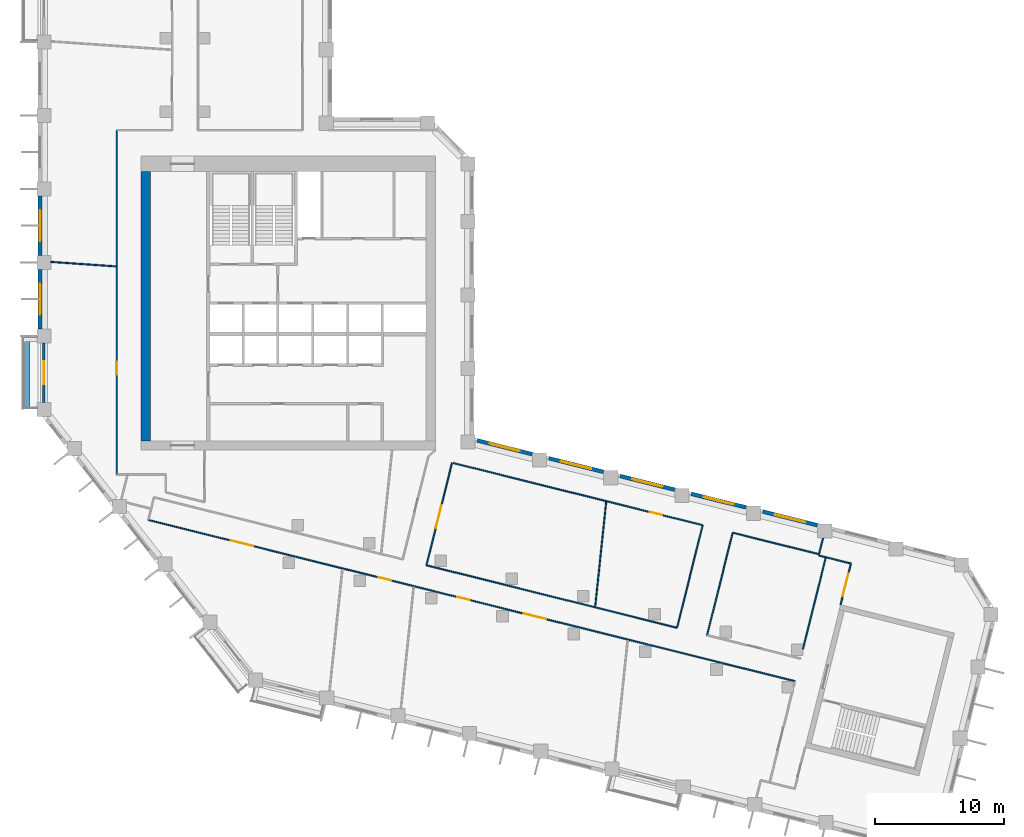
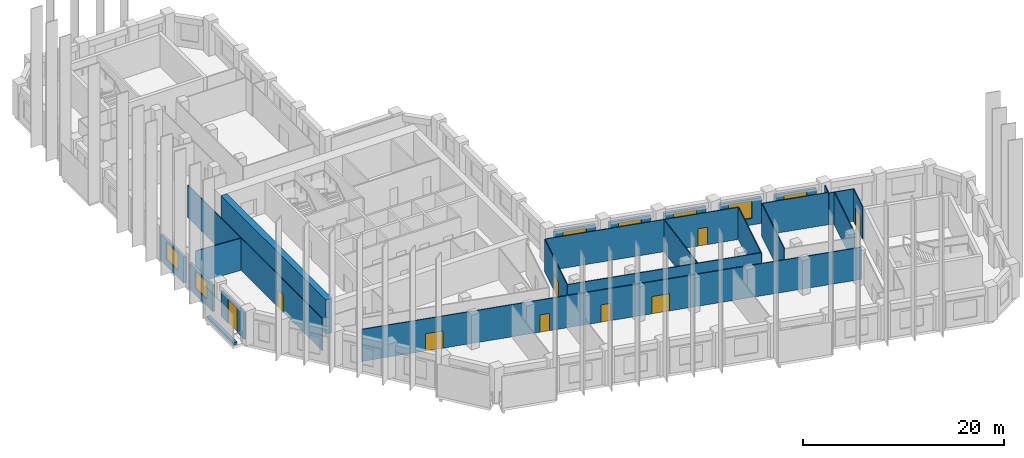
# One storey, part 4 of 10: 25 walls, 9 doors, 7 windows, 16 openings.
"""IFC4 building model written with IfcOpenShell, lengths in metres."""

from ifc_helpers import new_model, si_unit, direction, frame, frame_2d, origin, place, context, subcontext, project, spatial, rectangle, extrude, material, layer, layer_set, type_object, element, fill, save


model = new_model("IFC4")

# Units and contexts
model_context = context("Model", 3, precision=1e-05, world=origin(), true_north=direction((0.0, 1.0)))
body_context = subcontext(model_context, "Body", "Model", "MODEL_VIEW")
ifc_project = project(units=[si_unit("LENGTHUNIT", "METRE"), si_unit("AREAUNIT", "SQUARE_METRE"), si_unit("VOLUMEUNIT", "CUBIC_METRE"), si_unit("PLANEANGLEUNIT", "RADIAN"), si_unit("MASSUNIT", "GRAM", prefix="KILO")], contexts=[model_context])

# Site, building, storey
site_placement = place(None, origin())
site = spatial("IfcSite", under=ifc_project, at=site_placement, CompositionType="ELEMENT")
building_placement = place(site_placement, origin())
building = spatial("IfcBuilding", under=site, at=building_placement, Name="Meshkara Civic Tower", CompositionType="ELEMENT")
storey_placement = place(building_placement, frame((0.0, 0.0, 225.60009765625)))
storey = spatial("IfcBuildingStorey", under=building, at=storey_placement, Name="L51", CompositionType="ELEMENT", Elevation=225.60009765625)

# Wall
ifc_material_1 = material(Name="Concrete C60", Category="concrete")
ifc_layer_1 = layer(ifc_material_1, 0.699951171875)
ifc_layer_set_1 = layer_set([ifc_layer_1], Name="Core ring wall 700 C60")
wall_type_1 = type_object("IfcWallType", Name="Core ring wall 700 C60", PredefinedType="SHEAR", material=ifc_layer_set_1)
wall_1_placement = place(storey_placement, frame((8.35009765625, 14.800048828125, -0.300048828125), z_axis=(0.0, 0.0, 1.0), x_axis=(0.0, 1.0, 0.0)))
element("IfcWall", 1, at=wall_1_placement, inside=storey, type_object=wall_type_1, Name="L51-C003", PredefinedType="SHEAR", context=body_context, shape_type="SweptSolid", body=[
    extrude(rectangle(XDim=20.89990234375, YDim=0.699951171875, at=frame_2d((10.449951171875, 0.0))), origin(), (0.0, 0.0, 1.0), 4.199951171875),
])

# Wall, opening, door
ifc_material_2 = material(Name="Corridor wall 100")
ifc_layer_2 = layer(ifc_material_2, 0.10009765625)
ifc_layer_set_2 = layer_set([ifc_layer_2], Name="Corridor wall 100")
wall_type_2 = type_object("IfcWallType", Name="Corridor wall 100", PredefinedType="PARTITIONING", material=ifc_layer_set_2)
wall_2_placement = place(storey_placement, frame((6.10009765625, 38.89990234375, 0.0), z_axis=(0.0, 0.0, 1.0), x_axis=(0.0, -1.0, 0.0)))
wall_2 = element("IfcWall", 2, at=wall_2_placement, inside=storey, type_object=wall_type_2, Name="L51-W005", PredefinedType="PARTITIONING", context=body_context, shape_type="SweptSolid", body=[
    extrude(rectangle(XDim=26.699951171875, YDim=0.10009765625, at=frame_2d((13.35009765625, 0.0))), origin(), (0.0, 0.0, 1.0), 3.89990234375),
])
opening_1_placement = place(wall_2_placement, frame((17.93603515625, 0.0, 0.0)))
opening_1 = element("IfcOpeningElement", 3, at=opening_1_placement, cuts=wall_2, Name="Opening L51-D013", PredefinedType="OPENING", context=body_context, shape_type="SweptSolid", body=[
    extrude(rectangle(XDim=1.0, YDim=2.10009765625, at=frame_2d((0.5, 1.050048828125))), frame((0.0, 0.06005859375, 0.0), z_axis=(0.0, -1.0, 0.0), x_axis=(1.0, 0.0, 0.0)), (0.0, 0.0, 1.0), 0.1201171875),
])
ifc_material_3 = material(Name="Door 1000 x 2100")
door_type_1 = type_object("IfcDoorType", Name="Door 1000 x 2100", OperationType="SINGLE_SWING_LEFT", PredefinedType="DOOR", material=ifc_material_3)
door_1_placement = place(opening_1_placement, origin())
door_1 = element("IfcDoor", 4, at=door_1_placement, inside=storey, type_object=door_type_1, Name="L51-D013", OperationType="SINGLE_SWING_RIGHT", OverallHeight=2.10009765625, OverallWidth=1.0, PredefinedType="DOOR", context=body_context, shape_type="SweptSolid", body=[
    extrude(rectangle(XDim=1.0, YDim=2.10009765625, at=frame_2d((0.5, 1.050048828125))), frame((0.0, 0.02490234375, 0.0), z_axis=(0.0, -1.0, 0.0), x_axis=(1.0, 0.0, 0.0)), (0.0, 0.0, 1.0), 0.050048828125),
])
fill(opening_1, door_1)

# Wall, openings, doors
wall_3_placement = place(storey_placement, frame((8.550048828125, 8.68505859375, 0.0), z_axis=(0.0, 0.0, 1.0), x_axis=(0.970297101369, -0.241916380335, 0.0)))
wall_3 = element("IfcWall", 5, at=wall_3_placement, inside=storey, type_object=wall_type_2, Name="L51-W006", PredefinedType="PARTITIONING", context=body_context, shape_type="SweptSolid", body=[
    extrude(rectangle(XDim=51.6748046875, YDim=0.10009765625, at=frame_2d((25.83740234375, 0.0))), origin(), (0.0, 0.0, 1.0), 3.89990234375),
])
opening_2_placement = place(wall_3_placement, frame((18.39111328125, 0.0, 0.0)))
opening_2 = element("IfcOpeningElement", 6, at=opening_2_placement, cuts=wall_3, Name="Opening L51-D004", PredefinedType="OPENING", context=body_context, shape_type="SweptSolid", body=[
    extrude(rectangle(XDim=1.0, YDim=2.10009765625, at=frame_2d((0.5, 1.050048828125))), frame((0.0, 0.06005859375, 0.0), z_axis=(0.0, -1.0, 0.0), x_axis=(1.0, 0.0, 0.0)), (0.0, 0.0, 1.0), 0.1201171875),
])
opening_3_placement = place(wall_3_placement, frame((24.68994140625, 0.0, 0.0)))
opening_3 = element("IfcOpeningElement", 7, at=opening_3_placement, cuts=wall_3, Name="Opening L51-D005", PredefinedType="OPENING", context=body_context, shape_type="SweptSolid", body=[
    extrude(rectangle(XDim=1.0, YDim=2.10009765625, at=frame_2d((0.5, 1.050048828125))), frame((0.0, 0.06005859375, 0.0), z_axis=(0.0, -1.0, 0.0), x_axis=(1.0, 0.0, 0.0)), (0.0, 0.0, 1.0), 0.1201171875),
])
opening_4_placement = place(wall_3_placement, frame((29.989990234375, 0.0, 0.0)))
opening_4 = element("IfcOpeningElement", 8, at=opening_4_placement, cuts=wall_3, Name="Opening L51-D006", PredefinedType="OPENING", context=body_context, shape_type="SweptSolid", body=[
    extrude(rectangle(XDim=1.800048828125, YDim=2.10009765625, at=frame_2d((0.89990234375, 1.050048828125))), frame((0.0, 0.06005859375, 0.0), z_axis=(0.0, -1.0, 0.0), x_axis=(1.0, 0.0, 0.0)), (0.0, 0.0, 1.0), 0.1201171875),
])
opening_5_placement = place(wall_3_placement, frame((6.580078125, 0.0, 0.0)))
opening_5 = element("IfcOpeningElement", 9, at=opening_5_placement, cuts=wall_3, Name="Opening L51-D008", PredefinedType="OPENING", context=body_context, shape_type="SweptSolid", body=[
    extrude(rectangle(XDim=1.800048828125, YDim=2.10009765625, at=frame_2d((0.89990234375, 1.050048828125))), frame((0.0, 0.06005859375, 0.0), z_axis=(0.0, -1.0, 0.0), x_axis=(1.0, 0.0, 0.0)), (0.0, 0.0, 1.0), 0.1201171875),
])
door_2_placement = place(opening_2_placement, origin())
door_2 = element("IfcDoor", 10, at=door_2_placement, inside=storey, type_object=door_type_1, Name="L51-D004", OperationType="SINGLE_SWING_LEFT", OverallHeight=2.10009765625, OverallWidth=1.0, PredefinedType="DOOR", context=body_context, shape_type="SweptSolid", body=[
    extrude(rectangle(XDim=1.0, YDim=2.10009765625, at=frame_2d((0.5, 1.050048828125))), frame((0.0, 0.02490234375, 0.0), z_axis=(0.0, -1.0, 0.0), x_axis=(1.0, 0.0, 0.0)), (0.0, 0.0, 1.0), 0.050048828125),
])
fill(opening_2, door_2)
door_3_placement = place(opening_3_placement, origin())
door_3 = element("IfcDoor", 11, at=door_3_placement, inside=storey, type_object=door_type_1, Name="L51-D005", OperationType="SINGLE_SWING_RIGHT", OverallHeight=2.10009765625, OverallWidth=1.0, PredefinedType="DOOR", context=body_context, shape_type="SweptSolid", body=[
    extrude(rectangle(XDim=1.0, YDim=2.10009765625, at=frame_2d((0.5, 1.050048828125))), frame((0.0, 0.02490234375, 0.0), z_axis=(0.0, -1.0, 0.0), x_axis=(1.0, 0.0, 0.0)), (0.0, 0.0, 1.0), 0.050048828125),
])
fill(opening_3, door_3)
ifc_material_4 = material(Name="Door pair 1800 x 2100")
door_type_2 = type_object("IfcDoorType", Name="Door pair 1800 x 2100", OperationType="SINGLE_SWING_LEFT", PredefinedType="DOOR", material=ifc_material_4)
door_4_placement = place(opening_4_placement, origin())
door_4 = element("IfcDoor", 12, at=door_4_placement, inside=storey, type_object=door_type_2, Name="L51-D006", OperationType="DOUBLE_DOOR_SINGLE_SWING", OverallHeight=2.10009765625, OverallWidth=1.800048828125, PredefinedType="DOOR", context=body_context, shape_type="SweptSolid", body=[
    extrude(rectangle(XDim=1.800048828125, YDim=2.10009765625, at=frame_2d((0.89990234375, 1.050048828125))), frame((0.0, 0.02490234375, 0.0), z_axis=(0.0, -1.0, 0.0), x_axis=(1.0, 0.0, 0.0)), (0.0, 0.0, 1.0), 0.050048828125),
])
fill(opening_4, door_4)
door_5_placement = place(opening_5_placement, origin())
door_5 = element("IfcDoor", 13, at=door_5_placement, inside=storey, type_object=door_type_2, Name="L51-D008", OperationType="DOUBLE_DOOR_SINGLE_SWING", OverallHeight=2.10009765625, OverallWidth=1.800048828125, PredefinedType="DOOR", context=body_context, shape_type="SweptSolid", body=[
    extrude(rectangle(XDim=1.800048828125, YDim=2.10009765625, at=frame_2d((0.89990234375, 1.050048828125))), frame((0.0, 0.02490234375, 0.0), z_axis=(0.0, -1.0, 0.0), x_axis=(1.0, 0.0, 0.0)), (0.0, 0.0, 1.0), 0.050048828125),
])
fill(opening_5, door_5)

# Wall
wall_4_placement = place(storey_placement, frame((30.1201171875, 5.1708984375, 0.0), z_axis=(0.0, 0.0, 1.0), x_axis=(0.970303642594, -0.241890142767, 0.0)))
element("IfcWall", 14, at=wall_4_placement, inside=storey, type_object=wall_type_2, Name="L51-W021", PredefinedType="PARTITIONING", context=body_context, shape_type="SweptSolid", body=[
    extrude(rectangle(XDim=20.025634765625, YDim=0.10009765625, at=frame_2d((10.0126953125, 0.0))), origin(), (0.0, 0.0, 1.0), 3.89990234375),
])

# Wall, opening, door
wall_5_placement = place(storey_placement, frame((30.1201171875, 5.1708984375, 0.0), z_axis=(0.0, 0.0, 1.0), x_axis=(0.241902913229, 0.970300458915, 0.0)))
wall_5 = element("IfcWall", 15, at=wall_5_placement, inside=storey, type_object=wall_type_2, Name="L51-W022", PredefinedType="PARTITIONING", context=body_context, shape_type="SweptSolid", body=[
    extrude(rectangle(XDim=8.171875, YDim=0.10009765625, at=frame_2d((4.0859375, 0.0))), origin(), (0.0, 0.0, 1.0), 3.89990234375),
])
opening_6_placement = place(wall_5_placement, frame((2.97998046875, 0.0, 0.0)))
opening_6 = element("IfcOpeningElement", 16, at=opening_6_placement, cuts=wall_5, Name="Opening L51-D010", PredefinedType="OPENING", context=body_context, shape_type="SweptSolid", body=[
    extrude(rectangle(XDim=1.800048828125, YDim=2.10009765625, at=frame_2d((0.89990234375, 1.050048828125))), frame((0.0, 0.06005859375, 0.0), z_axis=(0.0, -1.0, 0.0), x_axis=(1.0, 0.0, 0.0)), (0.0, 0.0, 1.0), 0.1201171875),
])
door_6_placement = place(opening_6_placement, origin())
door_6 = element("IfcDoor", 17, at=door_6_placement, inside=storey, type_object=door_type_2, Name="L51-D010", OperationType="DOUBLE_DOOR_SINGLE_SWING", OverallHeight=2.10009765625, OverallWidth=1.800048828125, PredefinedType="DOOR", context=body_context, shape_type="SweptSolid", body=[
    extrude(rectangle(XDim=1.800048828125, YDim=2.10009765625, at=frame_2d((0.89990234375, 1.050048828125))), frame((0.0, 0.02490234375, 0.0), z_axis=(0.0, -1.0, 0.0), x_axis=(1.0, 0.0, 0.0)), (0.0, 0.0, 1.0), 0.050048828125),
])
fill(opening_6, door_6)

wall_6_placement = place(storey_placement, frame((32.196044921875, 13.10009765625, 0.0), z_axis=(0.0, 0.0, 1.0), x_axis=(0.970300822777, -0.241901453734, 0.0)))
wall_6 = element("IfcWall", 18, at=wall_6_placement, inside=storey, type_object=wall_type_2, Name="L51-W026", PredefinedType="PARTITIONING", context=body_context, shape_type="SweptSolid", body=[
    extrude(rectangle(XDim=19.9296875, YDim=0.10009765625, at=frame_2d((9.96484375, 0.0))), origin(), (0.0, 0.0, 1.0), 3.89990234375),
])
opening_7_placement = place(wall_6_placement, frame((15.70703125, 0.0, 0.0)))
opening_7 = element("IfcOpeningElement", 19, at=opening_7_placement, cuts=wall_6, Name="Opening L51-D011", PredefinedType="OPENING", context=body_context, shape_type="SweptSolid", body=[
    extrude(rectangle(XDim=1.0, YDim=2.10009765625, at=frame_2d((0.5, 1.050048828125))), frame((0.0, 0.06005859375, 0.0), z_axis=(0.0, -1.0, 0.0), x_axis=(1.0, 0.0, 0.0)), (0.0, 0.0, 1.0), 0.1201171875),
])
door_7_placement = place(opening_7_placement, origin())
door_7 = element("IfcDoor", 20, at=door_7_placement, inside=storey, type_object=door_type_1, Name="L51-D011", OperationType="SINGLE_SWING_LEFT", OverallHeight=2.10009765625, OverallWidth=1.0, PredefinedType="DOOR", context=body_context, shape_type="SweptSolid", body=[
    extrude(rectangle(XDim=1.0, YDim=2.10009765625, at=frame_2d((0.5, 1.050048828125))), frame((0.0, 0.02490234375, 0.0), z_axis=(0.0, -1.0, 0.0), x_axis=(1.0, 0.0, 0.0)), (0.0, 0.0, 1.0), 0.050048828125),
])
fill(opening_7, door_7)

# Walls
wall_7_placement = place(storey_placement, frame((51.533935546875, 8.278076171875, 0.0), z_axis=(0.0, 0.0, 1.0), x_axis=(-0.241974784284, -0.970282538115, 0.0)))
element("IfcWall", 21, at=wall_7_placement, inside=storey, type_object=wall_type_2, Name="L51-W027", PredefinedType="PARTITIONING", context=body_context, shape_type="SweptSolid", body=[
    extrude(rectangle(XDim=8.194580078125, YDim=0.10009765625, at=frame_2d((4.09716796875, 0.0))), origin(), (0.0, 0.0, 1.0), 3.89990234375),
])
wall_8_placement = place(storey_placement, frame((51.8798828125, -0.25390625, 0.0), z_axis=(0.0, 0.0, 1.0), x_axis=(0.241869660979, 0.970308748336, 0.0)))
element("IfcWall", 22, at=wall_8_placement, inside=storey, type_object=wall_type_2, Name="L51-W028", PredefinedType="PARTITIONING", context=body_context, shape_type="SweptSolid", body=[
    extrude(rectangle(XDim=8.1953125, YDim=0.10009765625, at=frame_2d((4.09765625, 0.0))), origin(), (0.0, 0.0, 1.0), 3.89990234375),
])
wall_9_placement = place(storey_placement, frame((53.862060546875, 7.697998046875, 0.0), z_axis=(0.0, 0.0, 1.0), x_axis=(0.970296350815, -0.241919390698, 0.0)))
element("IfcWall", 23, at=wall_9_placement, inside=storey, type_object=wall_type_2, Name="L51-W029", PredefinedType="PARTITIONING", context=body_context, shape_type="SweptSolid", body=[
    extrude(rectangle(XDim=6.898681640625, YDim=0.10009765625, at=frame_2d((3.44921875, 0.0))), origin(), (0.0, 0.0, 1.0), 3.89990234375),
])
wall_10_placement = place(storey_placement, frame((60.555908203125, 6.029052734375, 0.0), z_axis=(0.0, 0.0, 1.0), x_axis=(0.24168476558, 0.970354818655, 0.0)))
element("IfcWall", 24, at=wall_10_placement, inside=storey, type_object=wall_type_2, Name="L51-W035", PredefinedType="PARTITIONING", context=body_context, shape_type="SweptSolid", body=[
    extrude(rectangle(XDim=1.282958984375, YDim=0.10009765625, at=frame_2d((0.6416015625, 0.0))), origin(), (0.0, 0.0, 1.0), 3.89990234375),
])
wall_11_placement = place(storey_placement, frame((61.0859375, 5.7939453125, 0.0), z_axis=(0.0, 0.0, 1.0), x_axis=(-0.241861257594, -0.970310843016, 0.0)))
element("IfcWall", 25, at=wall_11_placement, inside=storey, type_object=wall_type_2, Name="L51-W036", PredefinedType="PARTITIONING", context=body_context, shape_type="SweptSolid", body=[
    extrude(rectangle(XDim=7.326416015625, YDim=0.10009765625, at=frame_2d((3.6630859375, 0.0))), origin(), (0.0, 0.0, 1.0), 3.89990234375),
])

# Wall, opening, door
wall_12_placement = place(storey_placement, frame((62.22900390625, 2.10791015625, 0.0), z_axis=(0.0, 0.0, 1.0), x_axis=(0.241839284064, 0.97031631991, 0.0)))
wall_12 = element("IfcWall", 26, at=wall_12_placement, inside=storey, type_object=wall_type_2, Name="L51-W037", PredefinedType="PARTITIONING", context=body_context, shape_type="SweptSolid", body=[
    extrude(rectangle(XDim=3.300048828125, YDim=0.10009765625, at=frame_2d((1.64990234375, 0.0))), origin(), (0.0, 0.0, 1.0), 3.89990234375),
])
opening_8_placement = place(wall_12_placement, frame((0.679931640625, 0.0, 0.0)))
opening_8 = element("IfcOpeningElement", 27, at=opening_8_placement, cuts=wall_12, Name="Opening L51-D007", PredefinedType="OPENING", context=body_context, shape_type="SweptSolid", body=[
    extrude(rectangle(XDim=1.800048828125, YDim=2.10009765625, at=frame_2d((0.89990234375, 1.050048828125))), frame((0.0, 0.06005859375, 0.0), z_axis=(0.0, -1.0, 0.0), x_axis=(1.0, 0.0, 0.0)), (0.0, 0.0, 1.0), 0.1201171875),
])
door_8_placement = place(opening_8_placement, origin())
door_8 = element("IfcDoor", 28, at=door_8_placement, inside=storey, type_object=door_type_2, Name="L51-D007", OperationType="DOUBLE_DOOR_SINGLE_SWING", OverallHeight=2.10009765625, OverallWidth=1.800048828125, PredefinedType="DOOR", context=body_context, shape_type="SweptSolid", body=[
    extrude(rectangle(XDim=1.800048828125, YDim=2.10009765625, at=frame_2d((0.89990234375, 1.050048828125))), frame((0.0, 0.02490234375, 0.0), z_axis=(0.0, -1.0, 0.0), x_axis=(1.0, 0.0, 0.0)), (0.0, 0.0, 1.0), 0.050048828125),
])
fill(opening_8, door_8)

# Wall
wall_13_placement = place(storey_placement, frame((63.027099609375, 5.31005859375, 0.0), z_axis=(0.0, 0.0, 1.0), x_axis=(-0.970307382734, 0.241875139301, 0.0)))
element("IfcWall", 29, at=wall_13_placement, inside=storey, type_object=wall_type_2, Name="L51-W038", PredefinedType="PARTITIONING", context=body_context, shape_type="SweptSolid", body=[
    extrude(rectangle(XDim=2.00048828125, YDim=0.10009765625, at=frame_2d((1.000244140625, 0.0))), origin(), (0.0, 0.0, 1.0), 3.89990234375),
])

# Wall, opening, window
ifc_material_5 = material(Name="Insulated infill panel with bronze anodised aluminium cladding", Category="aluminium")
ifc_layer_3 = layer(ifc_material_5, 0.300048828125)
ifc_layer_set_3 = layer_set([ifc_layer_3], Name="EXTERNAL INFILL WALL 300")
wall_type_3 = type_object("IfcWallType", Name="EXTERNAL INFILL WALL 300", PredefinedType="SOLIDWALL", material=ifc_layer_set_3)
wall_14_placement = place(storey_placement, frame((60.428955078125, 8.277099609375, 0.0), z_axis=(0.0, 0.0, 1.0), x_axis=(-0.97030676369, 0.241877622649, 0.0)))
wall_14 = element("IfcWall", 30, at=wall_14_placement, inside=storey, type_object=wall_type_3, Name="External wall", PredefinedType="SOLIDWALL", context=body_context, shape_type="SweptSolid", body=[
    extrude(rectangle(XDim=4.365478515625, YDim=0.300048828125, at=frame_2d((2.1826171875, 0.0))), origin(), (0.0, 0.0, 1.0), 3.14990234375),
])
opening_9_placement = place(wall_14_placement, frame((0.98291015625, 0.0, 0.800048828125)))
opening_9 = element("IfcOpeningElement", 31, at=opening_9_placement, cuts=wall_14, Name="Opening W7", PredefinedType="OPENING", context=body_context, shape_type="SweptSolid", body=[
    extrude(rectangle(XDim=2.39990234375, YDim=2.10009765625, at=frame_2d((1.199951171875, 1.050048828125))), frame((0.0, 0.159912109375, 0.0), z_axis=(0.0, -1.0, 0.0), x_axis=(1.0, 0.0, 0.0)), (0.0, 0.0, 1.0), 0.320068359375),
])
ifc_material_6 = material(Name="Tinted double glazing", Category="glass")
window_type = type_object("IfcWindowType", Name="WINDOW 2400x2100", PartitioningType="DOUBLE_PANEL_VERTICAL", PredefinedType="WINDOW", material=ifc_material_6)
window_1_placement = place(opening_9_placement, origin())
window_1 = element("IfcWindow", 32, at=window_1_placement, inside=storey, type_object=window_type, Name="Window", OverallHeight=2.10009765625, OverallWidth=2.39990234375, PartitioningType="DOUBLE_PANEL_VERTICAL", PredefinedType="WINDOW", context=body_context, shape_type="SweptSolid", body=[
    extrude(rectangle(XDim=2.39990234375, YDim=2.10009765625, at=frame_2d((1.199951171875, 1.050048828125))), frame((0.0, 0.030029296875, 0.0), z_axis=(0.0, -1.0, 0.0), x_axis=(1.0, 0.0, 0.0)), (0.0, 0.0, 1.0), 0.06005859375),
])
fill(opening_9, window_1)

wall_15_placement = place(storey_placement, frame((54.89892578125, 9.656005859375, 0.0), z_axis=(0.0, 0.0, 1.0), x_axis=(-0.970319847058, 0.241825131873, 0.0)))
wall_15 = element("IfcWall", 33, at=wall_15_placement, inside=storey, type_object=wall_type_3, Name="External wall", PredefinedType="SOLIDWALL", context=body_context, shape_type="SweptSolid", body=[
    extrude(rectangle(XDim=4.366455078125, YDim=0.300048828125, at=frame_2d((2.18310546875, 0.0))), origin(), (0.0, 0.0, 1.0), 3.14990234375),
])
opening_10_placement = place(wall_15_placement, frame((0.98291015625, 0.0, 0.800048828125)))
opening_10 = element("IfcOpeningElement", 34, at=opening_10_placement, cuts=wall_15, Name="Opening W7", PredefinedType="OPENING", context=body_context, shape_type="SweptSolid", body=[
    extrude(rectangle(XDim=2.39990234375, YDim=2.10009765625, at=frame_2d((1.199951171875, 1.050048828125))), frame((0.0, 0.159912109375, 0.0), z_axis=(0.0, -1.0, 0.0), x_axis=(1.0, 0.0, 0.0)), (0.0, 0.0, 1.0), 0.320068359375),
])
window_2_placement = place(opening_10_placement, origin())
window_2 = element("IfcWindow", 35, at=window_2_placement, inside=storey, type_object=window_type, Name="Window", OverallHeight=2.10009765625, OverallWidth=2.39990234375, PartitioningType="DOUBLE_PANEL_VERTICAL", PredefinedType="WINDOW", context=body_context, shape_type="SweptSolid", body=[
    extrude(rectangle(XDim=2.39990234375, YDim=2.10009765625, at=frame_2d((1.199951171875, 1.050048828125))), frame((0.0, 0.030029296875, 0.0), z_axis=(0.0, -1.0, 0.0), x_axis=(1.0, 0.0, 0.0)), (0.0, 0.0, 1.0), 0.06005859375),
])
fill(opening_10, window_2)

wall_16_placement = place(storey_placement, frame((49.367919921875, 11.034912109375, 0.0), z_axis=(0.0, 0.0, 1.0), x_axis=(-0.970306725873, 0.241877774353, 0.0)))
wall_16 = element("IfcWall", 36, at=wall_16_placement, inside=storey, type_object=wall_type_3, Name="External wall", PredefinedType="SOLIDWALL", context=body_context, shape_type="SweptSolid", body=[
    extrude(rectangle(XDim=4.366455078125, YDim=0.300048828125, at=frame_2d((2.18310546875, 0.0))), origin(), (0.0, 0.0, 1.0), 3.14990234375),
])
opening_11_placement = place(wall_16_placement, frame((0.98291015625, 0.0, 0.800048828125)))
opening_11 = element("IfcOpeningElement", 37, at=opening_11_placement, cuts=wall_16, Name="Opening W7", PredefinedType="OPENING", context=body_context, shape_type="SweptSolid", body=[
    extrude(rectangle(XDim=2.39990234375, YDim=2.10009765625, at=frame_2d((1.199951171875, 1.050048828125))), frame((0.0, 0.159912109375, 0.0), z_axis=(0.0, -1.0, 0.0), x_axis=(1.0, 0.0, 0.0)), (0.0, 0.0, 1.0), 0.320068359375),
])
window_3_placement = place(opening_11_placement, origin())
window_3 = element("IfcWindow", 38, at=window_3_placement, inside=storey, type_object=window_type, Name="Window", OverallHeight=2.10009765625, OverallWidth=2.39990234375, PartitioningType="DOUBLE_PANEL_VERTICAL", PredefinedType="WINDOW", context=body_context, shape_type="SweptSolid", body=[
    extrude(rectangle(XDim=2.39990234375, YDim=2.10009765625, at=frame_2d((1.199951171875, 1.050048828125))), frame((0.0, 0.030029296875, 0.0), z_axis=(0.0, -1.0, 0.0), x_axis=(1.0, 0.0, 0.0)), (0.0, 0.0, 1.0), 0.06005859375),
])
fill(opening_11, window_3)

wall_17_placement = place(storey_placement, frame((43.8369140625, 12.4140625, 0.0), z_axis=(0.0, 0.0, 1.0), x_axis=(-0.97030676369, 0.241877622649, 0.0)))
wall_17 = element("IfcWall", 39, at=wall_17_placement, inside=storey, type_object=wall_type_3, Name="External wall", PredefinedType="SOLIDWALL", context=body_context, shape_type="SweptSolid", body=[
    extrude(rectangle(XDim=4.365478515625, YDim=0.300048828125, at=frame_2d((2.1826171875, 0.0))), origin(), (0.0, 0.0, 1.0), 3.14990234375),
])
opening_12_placement = place(wall_17_placement, frame((0.98291015625, 0.0, 0.800048828125)))
opening_12 = element("IfcOpeningElement", 40, at=opening_12_placement, cuts=wall_17, Name="Opening W7", PredefinedType="OPENING", context=body_context, shape_type="SweptSolid", body=[
    extrude(rectangle(XDim=2.39990234375, YDim=2.10009765625, at=frame_2d((1.199951171875, 1.050048828125))), frame((0.0, 0.159912109375, 0.0), z_axis=(0.0, -1.0, 0.0), x_axis=(1.0, 0.0, 0.0)), (0.0, 0.0, 1.0), 0.320068359375),
])
window_4_placement = place(opening_12_placement, origin())
window_4 = element("IfcWindow", 41, at=window_4_placement, inside=storey, type_object=window_type, Name="Window", OverallHeight=2.10009765625, OverallWidth=2.39990234375, PartitioningType="DOUBLE_PANEL_VERTICAL", PredefinedType="WINDOW", context=body_context, shape_type="SweptSolid", body=[
    extrude(rectangle(XDim=2.39990234375, YDim=2.10009765625, at=frame_2d((1.199951171875, 1.050048828125))), frame((0.0, 0.030029296875, 0.0), z_axis=(0.0, -1.0, 0.0), x_axis=(1.0, 0.0, 0.0)), (0.0, 0.0, 1.0), 0.06005859375),
])
fill(opening_12, window_4)

wall_18_placement = place(storey_placement, frame((38.306884765625, 13.79296875, 0.0), z_axis=(0.0, 0.0, 1.0), x_axis=(-0.970306725873, 0.241877774353, 0.0)))
wall_18 = element("IfcWall", 42, at=wall_18_placement, inside=storey, type_object=wall_type_3, Name="External wall", PredefinedType="SOLIDWALL", context=body_context, shape_type="SweptSolid", body=[
    extrude(rectangle(XDim=4.366455078125, YDim=0.300048828125, at=frame_2d((2.18310546875, 0.0))), origin(), (0.0, 0.0, 1.0), 3.14990234375),
])
opening_13_placement = place(wall_18_placement, frame((0.98291015625, 0.0, 0.800048828125)))
opening_13 = element("IfcOpeningElement", 43, at=opening_13_placement, cuts=wall_18, Name="Opening W7", PredefinedType="OPENING", context=body_context, shape_type="SweptSolid", body=[
    extrude(rectangle(XDim=2.39990234375, YDim=2.10009765625, at=frame_2d((1.199951171875, 1.050048828125))), frame((0.0, 0.159912109375, 0.0), z_axis=(0.0, -1.0, 0.0), x_axis=(1.0, 0.0, 0.0)), (0.0, 0.0, 1.0), 0.320068359375),
])
window_5_placement = place(opening_13_placement, origin())
window_5 = element("IfcWindow", 44, at=window_5_placement, inside=storey, type_object=window_type, Name="Window", OverallHeight=2.10009765625, OverallWidth=2.39990234375, PartitioningType="DOUBLE_PANEL_VERTICAL", PredefinedType="WINDOW", context=body_context, shape_type="SweptSolid", body=[
    extrude(rectangle(XDim=2.39990234375, YDim=2.10009765625, at=frame_2d((1.199951171875, 1.050048828125))), frame((0.0, 0.030029296875, 0.0), z_axis=(0.0, -1.0, 0.0), x_axis=(1.0, 0.0, 0.0)), (0.0, 0.0, 1.0), 0.06005859375),
])
fill(opening_13, window_5)

wall_19_placement = place(storey_placement, frame((0.14990234375, 33.804931640625, 0.0), z_axis=(0.0, 0.0, 1.0), x_axis=(0.0, -1.0, 0.0)))
wall_19 = element("IfcWall", 45, at=wall_19_placement, inside=storey, type_object=wall_type_3, Name="External wall", PredefinedType="SOLIDWALL", context=body_context, shape_type="SweptSolid", body=[
    extrude(rectangle(XDim=4.599853515625, YDim=0.300048828125, at=frame_2d((2.2998046875, 0.0))), origin(), (0.0, 0.0, 1.0), 3.14990234375),
])
opening_14_placement = place(wall_19_placement, frame((1.10009765625, 0.0, 0.800048828125)))
opening_14 = element("IfcOpeningElement", 46, at=opening_14_placement, cuts=wall_19, Name="Opening W7", PredefinedType="OPENING", context=body_context, shape_type="SweptSolid", body=[
    extrude(rectangle(XDim=2.39990234375, YDim=2.10009765625, at=frame_2d((1.199951171875, 1.050048828125))), frame((0.0, 0.159912109375, 0.0), z_axis=(0.0, -1.0, 0.0), x_axis=(1.0, 0.0, 0.0)), (0.0, 0.0, 1.0), 0.320068359375),
])
window_6_placement = place(opening_14_placement, origin())
window_6 = element("IfcWindow", 47, at=window_6_placement, inside=storey, type_object=window_type, Name="Window", OverallHeight=2.10009765625, OverallWidth=2.39990234375, PartitioningType="DOUBLE_PANEL_VERTICAL", PredefinedType="WINDOW", context=body_context, shape_type="SweptSolid", body=[
    extrude(rectangle(XDim=2.39990234375, YDim=2.10009765625, at=frame_2d((1.199951171875, 1.050048828125))), frame((0.0, 0.030029296875, 0.0), z_axis=(0.0, -1.0, 0.0), x_axis=(1.0, 0.0, 0.0)), (0.0, 0.0, 1.0), 0.06005859375),
])
fill(opening_14, window_6)

wall_20_placement = place(storey_placement, frame((0.14990234375, 28.10498046875, 0.0), z_axis=(0.0, 0.0, 1.0), x_axis=(0.0, -1.0, 0.0)))
wall_20 = element("IfcWall", 48, at=wall_20_placement, inside=storey, type_object=wall_type_3, Name="External wall", PredefinedType="SOLIDWALL", context=body_context, shape_type="SweptSolid", body=[
    extrude(rectangle(XDim=4.60009765625, YDim=0.300048828125, at=frame_2d((2.300048828125, 0.0))), origin(), (0.0, 0.0, 1.0), 3.14990234375),
])
opening_15_placement = place(wall_20_placement, frame((1.10009765625, 0.0, 0.800048828125)))
opening_15 = element("IfcOpeningElement", 49, at=opening_15_placement, cuts=wall_20, Name="Opening W7", PredefinedType="OPENING", context=body_context, shape_type="SweptSolid", body=[
    extrude(rectangle(XDim=2.39990234375, YDim=2.10009765625, at=frame_2d((1.199951171875, 1.050048828125))), frame((0.0, 0.159912109375, 0.0), z_axis=(0.0, -1.0, 0.0), x_axis=(1.0, 0.0, 0.0)), (0.0, 0.0, 1.0), 0.320068359375),
])
window_7_placement = place(opening_15_placement, origin())
window_7 = element("IfcWindow", 50, at=window_7_placement, inside=storey, type_object=window_type, Name="Window", OverallHeight=2.10009765625, OverallWidth=2.39990234375, PartitioningType="DOUBLE_PANEL_VERTICAL", PredefinedType="WINDOW", context=body_context, shape_type="SweptSolid", body=[
    extrude(rectangle(XDim=2.39990234375, YDim=2.10009765625, at=frame_2d((1.199951171875, 1.050048828125))), frame((0.0, 0.030029296875, 0.0), z_axis=(0.0, -1.0, 0.0), x_axis=(1.0, 0.0, 0.0)), (0.0, 0.0, 1.0), 0.06005859375),
])
fill(opening_15, window_7)

# Wall, opening, door
ifc_material_7 = material(Name="Insulated infill panel with bronze anodised aluminium cladding", Category="aluminium")
ifc_layer_4 = layer(ifc_material_7, 0.199951171875)
ifc_layer_set_4 = layer_set([ifc_layer_4], Name="LOGGIA BACK WALL 200")
wall_type_4 = type_object("IfcWallType", Name="LOGGIA BACK WALL 200", PredefinedType="SOLIDWALL", material=ifc_layer_set_4)
wall_21_placement = place(storey_placement, frame((0.449951171875, 22.404052734375, 0.0), z_axis=(0.0, 0.0, 1.0), x_axis=(0.0, -1.0, 0.0)))
wall_21 = element("IfcWall", 51, at=wall_21_placement, inside=storey, type_object=wall_type_4, Name="Loggia wall", PredefinedType="SOLIDWALL", context=body_context, shape_type="SweptSolid", body=[
    extrude(rectangle(XDim=4.59912109375, YDim=0.199951171875, at=frame_2d((2.299560546875, 0.0))), origin(), (0.0, 0.0, 1.0), 3.14990234375),
])
opening_16_placement = place(wall_21_placement, frame((1.39990234375, 0.0, 0.0)))
opening_16 = element("IfcOpeningElement", 52, at=opening_16_placement, cuts=wall_21, Name="Opening L51-L002", PredefinedType="OPENING", context=body_context, shape_type="SweptSolid", body=[
    extrude(rectangle(XDim=1.800048828125, YDim=2.89990234375, at=frame_2d((0.89990234375, 1.449951171875))), frame((0.0, 0.10986328125, 0.0), z_axis=(0.0, -1.0, 0.0), x_axis=(1.0, 0.0, 0.0)), (0.0, 0.0, 1.0), 0.219970703125),
])
ifc_material_8 = material(Name="Tinted double glazing", Category="glass")
door_type_3 = type_object("IfcDoorType", Name="LOGGIA DOOR 1800x2900", OperationType="DOUBLE_DOOR_SINGLE_SWING", PredefinedType="DOOR", material=ifc_material_8)
door_9_placement = place(opening_16_placement, origin())
door_9 = element("IfcDoor", 53, at=door_9_placement, inside=storey, type_object=door_type_3, Name="L51-L002", OperationType="DOUBLE_DOOR_SINGLE_SWING", OverallHeight=2.89990234375, OverallWidth=1.800048828125, PredefinedType="DOOR", context=body_context, shape_type="SweptSolid", body=[
    extrude(rectangle(XDim=1.800048828125, YDim=2.89990234375, at=frame_2d((0.89990234375, 1.449951171875))), frame((0.0, 0.02490234375, 0.0), z_axis=(0.0, -1.0, 0.0), x_axis=(1.0, 0.0, 0.0)), (0.0, 0.0, 1.0), 0.050048828125),
])
fill(opening_16, door_9)

# Walls
ifc_material_9 = material(Name="Concrete C40", Category="concrete")
ifc_layer_5 = layer(ifc_material_9, 0.39990234375)
ifc_layer_set_5 = layer_set([ifc_layer_5], Name="PLANTER TRAY")
wall_type_5 = type_object("IfcWallType", Name="PLANTER TRAY", PredefinedType="SOLIDWALL", material=ifc_layer_set_5)
wall_22_placement = place(storey_placement, frame((-0.8798828125, 22.784912109375, 0.0), z_axis=(0.0, 0.0, 1.0), x_axis=(0.0, -1.0, 0.0)))
element("IfcWall", 54, at=wall_22_placement, inside=storey, type_object=wall_type_5, Name="Planter", PredefinedType="SOLIDWALL", context=body_context, shape_type="SweptSolid", body=[
    extrude(rectangle(XDim=5.35986328125, YDim=0.39990234375, at=frame_2d((2.679931640625, 0.0))), origin(), (0.0, 0.0, 1.0), 0.2998046875),
])
ifc_material_10 = material(Name="Partition 100")
ifc_layer_6 = layer(ifc_material_10, 0.10009765625)
ifc_layer_set_6 = layer_set([ifc_layer_6], Name="Partition 100")
wall_type_6 = type_object("IfcWallType", Name="Partition 100", PredefinedType="PARTITIONING", material=ifc_layer_set_6)
wall_23_placement = place(storey_placement, frame((6.047119140625, 28.343994140625, 0.0), z_axis=(0.0, 0.0, 1.0), x_axis=(-0.9975626968, 0.06977582642, 0.0)))
element("IfcWall", 55, at=wall_23_placement, inside=storey, type_object=wall_type_6, Name="L51-W044", PredefinedType="PARTITIONING", context=body_context, shape_type="SweptSolid", body=[
    extrude(rectangle(XDim=5.0595703125, YDim=0.10009765625, at=frame_2d((2.52978515625, 0.0))), origin(), (0.0, 0.0, 1.0), 3.89990234375),
])
wall_24_placement = place(storey_placement, frame((43.200927734375, 1.968994140625, 0.0), z_axis=(0.0, 0.0, 1.0), x_axis=(0.104529052315, 0.994521833457, 0.0)))
element("IfcWall", 56, at=wall_24_placement, inside=storey, type_object=wall_type_6, Name="L51-W052", PredefinedType="PARTITIONING", context=body_context, shape_type="SweptSolid", body=[
    extrude(rectangle(XDim=8.16064453125, YDim=0.10009765625, at=frame_2d((4.080322265625, 0.0))), origin(), (0.0, 0.0, 1.0), 3.89990234375),
])
wall_25_placement = place(storey_placement, frame((61.090087890625, 5.79296875, 0.0), z_axis=(0.0, 0.0, 1.0), x_axis=(-0.970391687927, 0.241536688727, 0.0)))
element("IfcWall", 57, at=wall_25_placement, inside=storey, type_object=wall_type_6, Name="L51-W056", PredefinedType="PARTITIONING", context=body_context, shape_type="SweptSolid", body=[
    extrude(rectangle(XDim=0.5751953125, YDim=0.10009765625, at=frame_2d((0.28759765625, 0.0))), origin(), (0.0, 0.0, 1.0), 3.89990234375),
])

save(model, "model.ifc")
